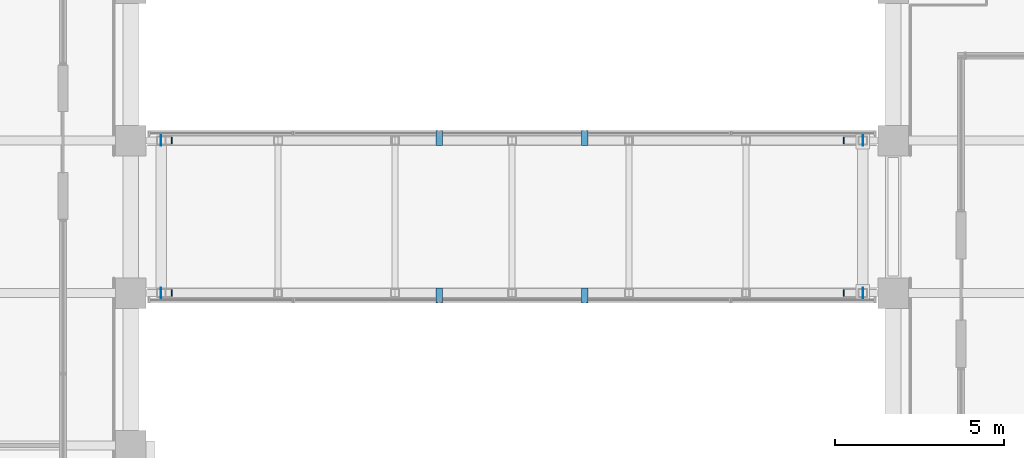
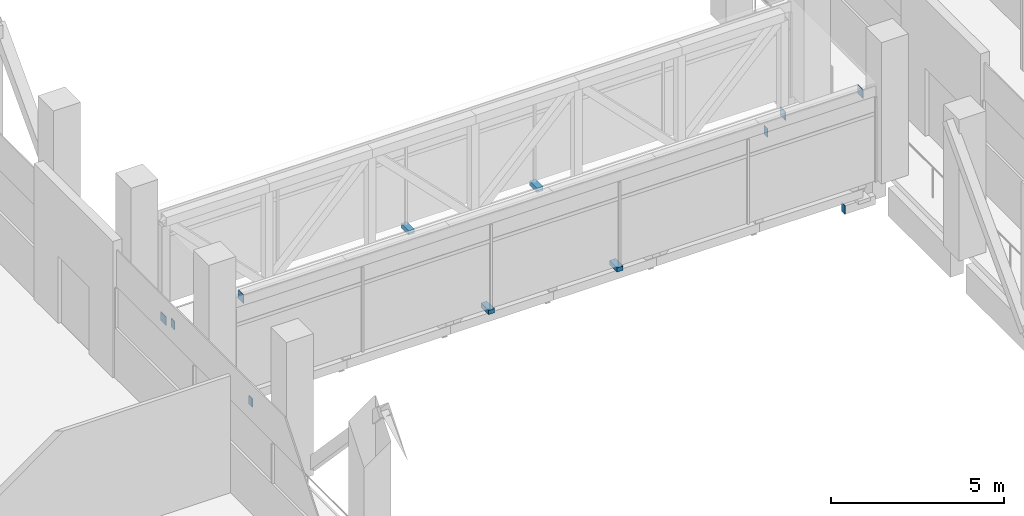
# One storey, part 32 of 34: 12 discrete accessories.
"""IFC4 building model written with IfcOpenShell, lengths in metres."""

from ifc_helpers import new_model, si_unit, direction, frame, origin, origin_2d, place, context, subcontext, project, spatial, rectangle, extrude, element, save


model = new_model("IFC4")

# Units and contexts
model_context = context("Model", 3, precision=1e-05, world=origin(), true_north=direction((0.0, 1.0)))
body_context = subcontext(model_context, "Body", "Model", "MODEL_VIEW")
ifc_project = project(units=[si_unit("LENGTHUNIT", "METRE"), si_unit("AREAUNIT", "SQUARE_METRE"), si_unit("VOLUMEUNIT", "CUBIC_METRE"), si_unit("PLANEANGLEUNIT", "RADIAN"), si_unit("MASSUNIT", "GRAM", prefix="KILO")], contexts=[model_context])

# Site, building, storey
site_placement = place(None, origin())
site = spatial("IfcSite", under=ifc_project, at=site_placement, CompositionType="ELEMENT")
building_placement = place(site_placement, origin())
building = spatial("IfcBuilding", under=site, at=building_placement, Name="Altepetl Exchange Towers", CompositionType="ELEMENT")
storey_placement = place(building_placement, frame((0.0, 0.0, 190.60009765625)))
storey = spatial("IfcBuildingStorey", under=building, at=storey_placement, Name="L48 Refuge", CompositionType="ELEMENT", Elevation=190.60009765625)

# Discrete accessories
discrete_accessory_1_placement = place(storey_placement, frame((72.889892578125, 45.0, 3.0), z_axis=(0.0, 0.0, 1.0), x_axis=(-1.0, 0.0, 0.0)))
element("IfcDiscreteAccessory", 1, at=discrete_accessory_1_placement, inside=storey, Name="End cap plate", ObjectType="END CAP PLATE", PredefinedType="USERDEFINED", context=body_context, shape_type="SweptSolid", body=[
    extrude(rectangle(XDim=0.02001953125, YDim=0.304931640625, at=origin_2d()), origin(), (0.0, 0.0, 1.0), 0.304931640625),
])
discrete_accessory_2_placement = place(storey_placement, frame((93.610107421875, 45.0, 3.0)))
element("IfcDiscreteAccessory", 2, at=discrete_accessory_2_placement, inside=storey, Name="End cap plate", ObjectType="END CAP PLATE", PredefinedType="USERDEFINED", context=body_context, shape_type="SweptSolid", body=[
    extrude(rectangle(XDim=0.02001953125, YDim=0.304931640625, at=origin_2d()), origin(), (0.0, 0.0, 1.0), 0.304931640625),
])
discrete_accessory_3_placement = place(storey_placement, frame((72.889892578125, 49.5, -0.5048828125), z_axis=(0.0, 0.0, 1.0), x_axis=(-1.0, 0.0, 0.0)))
element("IfcDiscreteAccessory", 3, at=discrete_accessory_3_placement, inside=storey, Name="End cap plate", ObjectType="END CAP PLATE", PredefinedType="USERDEFINED", context=body_context, shape_type="SweptSolid", body=[
    extrude(rectangle(XDim=0.02001953125, YDim=0.304931640625, at=origin_2d()), origin(), (0.0, 0.0, 1.0), 0.304931640625),
])
discrete_accessory_4_placement = place(storey_placement, frame((93.610107421875, 49.5, -0.5048828125)))
element("IfcDiscreteAccessory", 4, at=discrete_accessory_4_placement, inside=storey, Name="End cap plate", ObjectType="END CAP PLATE", PredefinedType="USERDEFINED", context=body_context, shape_type="SweptSolid", body=[
    extrude(rectangle(XDim=0.02001953125, YDim=0.304931640625, at=origin_2d()), origin(), (0.0, 0.0, 1.0), 0.304931640625),
])
for number, where, name in (
    (5, (73.2099609375, 45.0, -0.81005859375), "End cap plate"),
    (6, (73.2099609375, 49.5, -0.81005859375), "End cap plate"),
):
    element("IfcDiscreteAccessory", number, at=place(storey_placement, frame(where)), inside=storey, Name=name, ObjectType="END CAP PLATE", PredefinedType="USERDEFINED", context=body_context, shape_type="SweptSolid", body=[
        extrude(rectangle(XDim=0.02001953125, YDim=0.202880859375, at=origin_2d()), origin(), (0.0, 0.0, 1.0), 0.304931640625),
    ])
for number, where, z_axis, x_axis, name in (
    (7, (93.0400390625, 45.0, -0.93017578125), (0.0, 0.0, 1.0), (-1.0, 0.0, 0.0), "End cap plate"),
    (8, (93.0400390625, 49.5, -0.93017578125), (0.0, 0.0, 1.0), (-1.0, 0.0, 0.0), "End cap plate"),
):
    element("IfcDiscreteAccessory", number, at=place(storey_placement, frame(where, z_axis=z_axis, x_axis=x_axis)), inside=storey, Name=name, ObjectType="END CAP PLATE", PredefinedType="USERDEFINED", context=body_context, shape_type="SweptSolid", body=[
        extrude(rectangle(XDim=0.02001953125, YDim=0.202880859375, at=origin_2d()), origin(), (0.0, 0.0, 1.0), 0.304931640625),
    ])
for number, where, name in (
    (9, (81.10009765625, 44.93115234375, -0.150146484375), "Glazing bracket"),
    (10, (85.39990234375, 44.93115234375, -0.150146484375), "Glazing bracket"),
    (11, (81.10009765625, 49.56884765625, -0.150146484375), "Glazing bracket"),
    (12, (85.39990234375, 49.56884765625, -0.150146484375), "Glazing bracket"),
):
    element("IfcDiscreteAccessory", number, at=place(storey_placement, frame(where)), inside=storey, Name=name, PredefinedType="BRACKET", context=body_context, shape_type="SweptSolid", body=[
        extrude(rectangle(XDim=0.199951171875, YDim=0.4423828125, at=origin_2d()), origin(), (0.0, 0.0, 1.0), 0.14990234375),
    ])

save(model, "model.ifc")
